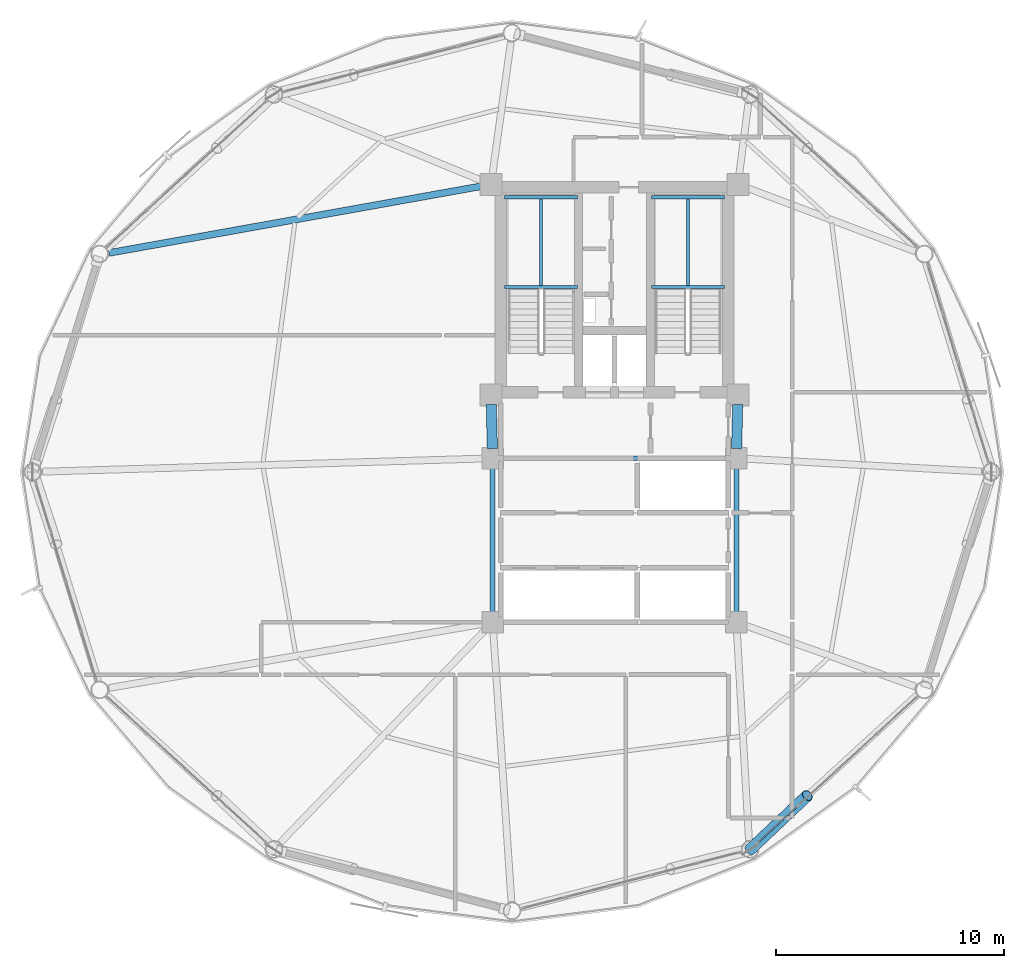
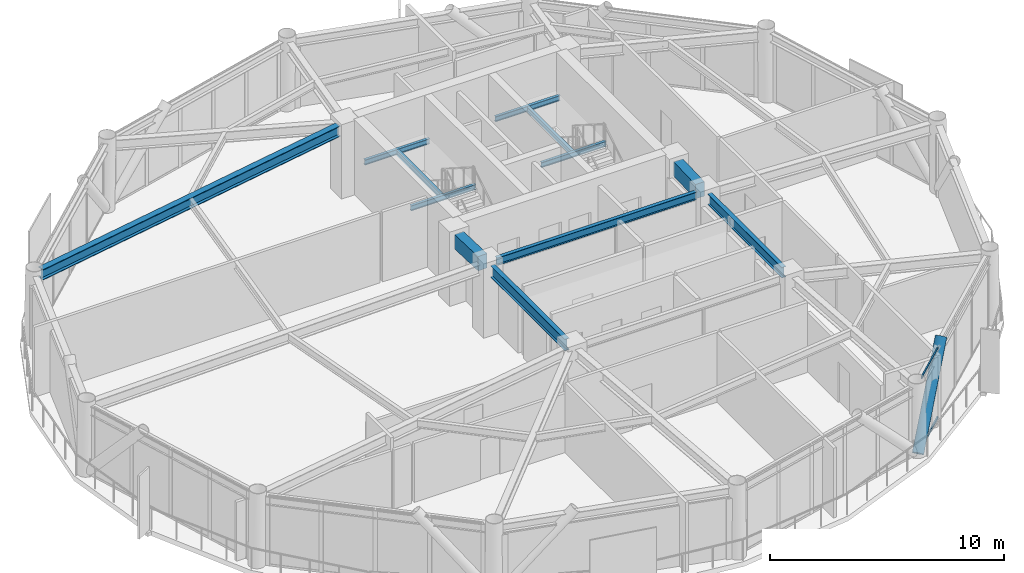
# One storey, part 13 of 27: 12 beams, 3 members, 1 element without a shape of its own.
"""IFC4 building model written with IfcOpenShell, lengths in metres."""

from ifc_helpers import new_model, si_unit, direction, frame, origin, origin_2d, place, context, subcontext, project, spatial, rectangle, hollow_rectangle, hollow_circle, i_section, extrude, material, layer, layer_set, material_profile, profile_set, type_object, element, aggregate, save


model = new_model("IFC4")

# Units and contexts
model_context = context("Model", 3, precision=1e-05, world=origin(), true_north=direction((0.0, 1.0)))
body_context = subcontext(model_context, "Body", "Model", "MODEL_VIEW")
ifc_project = project(units=[si_unit("LENGTHUNIT", "METRE"), si_unit("AREAUNIT", "SQUARE_METRE"), si_unit("VOLUMEUNIT", "CUBIC_METRE"), si_unit("PLANEANGLEUNIT", "RADIAN"), si_unit("MASSUNIT", "GRAM", prefix="KILO")], contexts=[model_context])

# Site, building, storey
site_placement = place(None, origin())
site = spatial("IfcSite", under=ifc_project, at=site_placement, CompositionType="ELEMENT")
building_placement = place(site_placement, origin())
building = spatial("IfcBuilding", under=site, at=building_placement, Name="Varnakorn Sky Granary", CompositionType="ELEMENT")
storey_placement = place(building_placement, frame((0.0, 0.0, 134.39990234375)))
storey = spatial("IfcBuildingStorey", under=building, at=storey_placement, Name="L33", CompositionType="ELEMENT", Elevation=134.39990234375)

# Beams
ifc_material_1 = material(Name="Steel S355JR", Category="steel")
ifc_material_profile_1 = material_profile(ifc_material_1, i_section(OverallWidth=0.2099609375, OverallDepth=0.550048828125, WebThickness=0.010986328125, FlangeThickness=0.01708984375, at=origin_2d()), Name="IPE 550")
ifc_profile_set_1 = profile_set([ifc_material_profile_1], Name="Steel S355JR")
beam_type_1 = type_object("IfcBeamType", Name="BM-JST-550", PredefinedType="JOIST", material=ifc_profile_set_1)
beam_1_placement = place(storey_placement, frame((8.35009765625, 0.179931640625, 3.364990234375), z_axis=(0.0, -1.0, 0.0), x_axis=(1.0, 0.0, 0.0)))
element("IfcBeam", 1, at=beam_1_placement, inside=storey, type_object=beam_type_1, Name="Core Spine Framing Beam 4 L33", PredefinedType="JOIST", context=body_context, shape_type="SweptSolid", body=[
    extrude(i_section(OverallWidth=0.2099609375, OverallDepth=0.550048828125, WebThickness=0.010986328125, FlangeThickness=0.01708984375, at=origin_2d()), origin(), (0.0, 0.0, 1.0), 6.35986328125),
])
ifc_material_profile_2 = material_profile(ifc_material_1, i_section(OverallWidth=0.219970703125, OverallDepth=0.60009765625, WebThickness=0.011962890625, FlangeThickness=0.01904296875, at=origin_2d()), Name="IPE 600")
ifc_profile_set_2 = profile_set([ifc_material_profile_2], Name="Steel S355JR")
beam_type_2 = type_object("IfcBeamType", Name="BM-JST-600", PredefinedType="JOIST", material=ifc_profile_set_2)
beam_2_placement = place(storey_placement, frame((-2.35009765625, 0.179931640625, 3.340087890625), z_axis=(0.0, -1.0, 0.0), x_axis=(1.0, 0.0, 0.0)))
element("IfcBeam", 2, at=beam_2_placement, inside=storey, type_object=beam_type_2, Name="Core Spine Framing Beam 3 L33", PredefinedType="JOIST", context=body_context, shape_type="SweptSolid", body=[
    extrude(i_section(OverallWidth=0.219970703125, OverallDepth=0.60009765625, WebThickness=0.011962890625, FlangeThickness=0.01904296875, at=origin_2d()), origin(), (0.0, 0.0, 1.0), 6.35986328125),
])
ifc_material_2 = material(Name="Concrete C60/75", Category="concrete")
ifc_material_profile_3 = material_profile(ifc_material_2, rectangle(XDim=0.449951171875, YDim=0.75, at=origin_2d()), Name="RC 450x750")
ifc_profile_set_3 = profile_set([ifc_material_profile_3], Name="Concrete C60/75")
beam_type_3 = type_object("IfcBeamType", Name="BM-LIN-750", PredefinedType="LINTEL", material=ifc_profile_set_3)
for number, where, z_axis, x_axis, name in (
    (3, (-2.409423828125, 2.960205078125, 3.26513671875), (0.025158763514, -0.999683468213, 0.0), (0.999683468213, 0.025158763514, 0.0), "Core Spine Framing Beam 1 L33"),
    (4, (8.409423828125, 2.960205078125, 3.26513671875), (-0.025158763514, -0.999683468213, 0.0), (0.999683468213, -0.025158763514, 0.0), "Core Spine Framing Beam 2 L33"),
):
    element("IfcBeam", number, at=place(storey_placement, frame(where, z_axis=z_axis, x_axis=x_axis)), inside=storey, type_object=beam_type_3, Name=name, PredefinedType="LINTEL", context=body_context, shape_type="SweptSolid", body=[
        extrude(rectangle(XDim=0.449951171875, YDim=0.75, at=origin_2d()), origin(), (0.0, 0.0, 1.0), 1.94091796875),
    ])
ifc_material_profile_4 = material_profile(ifc_material_1, i_section(OverallWidth=0.135009765625, OverallDepth=0.27001953125, WebThickness=0.006591796875, FlangeThickness=0.01025390625, at=origin_2d()), Name="IPE 270")
ifc_profile_set_4 = profile_set([ifc_material_profile_4], Name="Steel S355JR")
beam_type_4 = type_object("IfcBeamType", Name="BM-LND-270", PredefinedType="BEAM", material=ifc_profile_set_4)
for number, where, z_axis, x_axis, name in (
    (5, (-1.820068359375, 8.1201171875, 1.614990234375), (1.0, 0.0, 0.0), (0.0, 1.0, 0.0), "Stair ST-1 Landing Trimmer Beam A L33-1"),
    (6, (-1.820068359375, 12.06005859375, 1.614990234375), (1.0, 0.0, 0.0), (0.0, 1.0, 0.0), "Stair ST-1 Landing Trimmer Beam B L33-1"),
):
    element("IfcBeam", number, at=place(storey_placement, frame(where, z_axis=z_axis, x_axis=x_axis)), inside=storey, type_object=beam_type_4, Name=name, PredefinedType="BEAM", context=body_context, shape_type="SweptSolid", body=[
        extrude(i_section(OverallWidth=0.135009765625, OverallDepth=0.27001953125, WebThickness=0.006591796875, FlangeThickness=0.01025390625, at=origin_2d()), origin(), (0.0, 0.0, 1.0), 3.199951171875),
    ])
beam_3_placement = place(storey_placement, frame((-0.219970703125, 8.1201171875, 1.614990234375), z_axis=(0.0, 1.0, 0.0), x_axis=(-1.0, 0.0, 0.0)))
element("IfcBeam", 7, at=beam_3_placement, inside=storey, type_object=beam_type_4, Name="Stair ST-1 Landing Cross Beam C L33-1", PredefinedType="BEAM", context=body_context, shape_type="SweptSolid", body=[
    extrude(i_section(OverallWidth=0.135009765625, OverallDepth=0.27001953125, WebThickness=0.006591796875, FlangeThickness=0.01025390625, at=origin_2d()), origin(), (0.0, 0.0, 1.0), 3.93994140625),
])
for number, where, z_axis, x_axis, name in (
    (8, (4.6201171875, 8.1201171875, 1.614990234375), (1.0, 0.0, 0.0), (0.0, 1.0, 0.0), "Stair ST-2 Landing Trimmer Beam A L33-1"),
    (9, (4.6201171875, 12.06005859375, 1.614990234375), (1.0, 0.0, 0.0), (0.0, 1.0, 0.0), "Stair ST-2 Landing Trimmer Beam B L33-1"),
):
    element("IfcBeam", number, at=place(storey_placement, frame(where, z_axis=z_axis, x_axis=x_axis)), inside=storey, type_object=beam_type_4, Name=name, PredefinedType="BEAM", context=body_context, shape_type="SweptSolid", body=[
        extrude(i_section(OverallWidth=0.135009765625, OverallDepth=0.27001953125, WebThickness=0.006591796875, FlangeThickness=0.01025390625, at=origin_2d()), origin(), (0.0, 0.0, 1.0), 3.199951171875),
    ])
beam_4_placement = place(storey_placement, frame((6.219970703125, 8.1201171875, 1.614990234375), z_axis=(0.0, 1.0, 0.0), x_axis=(-1.0, 0.0, 0.0)))
element("IfcBeam", 10, at=beam_4_placement, inside=storey, type_object=beam_type_4, Name="Stair ST-2 Landing Cross Beam C L33-1", PredefinedType="BEAM", context=body_context, shape_type="SweptSolid", body=[
    extrude(i_section(OverallWidth=0.135009765625, OverallDepth=0.27001953125, WebThickness=0.006591796875, FlangeThickness=0.01025390625, at=origin_2d()), origin(), (0.0, 0.0, 1.0), 3.93994140625),
])
ifc_material_profile_5 = material_profile(ifc_material_1, i_section(OverallWidth=0.300048828125, OverallDepth=0.550048828125, WebThickness=0.014892578125, FlangeThickness=0.029052734375, at=origin_2d()), Name="HE 550 B")
ifc_profile_set_5 = profile_set([ifc_material_profile_5], Name="Steel S355JR")
beam_type_5 = type_object("IfcBeamType", Name="BM-RAD-Z3", PredefinedType="BEAM", material=ifc_profile_set_5)
beam_5_placement = place(storey_placement, frame((-2.83349609375, 12.5458984375, 3.364990234375), z_axis=(-0.984305242032, -0.176474333851, 0.0), x_axis=(0.176474333851, -0.984305242032, 0.0)))
element("IfcBeam", 11, at=beam_5_placement, inside=storey, type_object=beam_type_5, Name="Radial Floor Girder RG06 L33", PredefinedType="BEAM", context=body_context, shape_type="SweptSolid", body=[
    extrude(i_section(OverallWidth=0.300048828125, OverallDepth=0.550048828125, WebThickness=0.014892578125, FlangeThickness=0.029052734375, at=origin_2d()), origin(), (0.0, 0.0, 1.0), 16.6220703125),
])
ifc_material_profile_6 = material_profile(ifc_material_1, i_section(OverallWidth=0.179931640625, OverallDepth=0.39990234375, WebThickness=0.008544921875, FlangeThickness=0.013427734375, at=origin_2d()), Name="IPE 400")
ifc_profile_set_6 = profile_set([ifc_material_profile_6], Name="Steel S355JR")
beam_type_6 = type_object("IfcBeamType", Name="BM-SEC-Z3", PredefinedType="BEAM", material=ifc_profile_set_6)
beam_6_placement = place(storey_placement, frame((-1.929931640625, 0.60009765625, 3.440185546875), z_axis=(1.0, 0.0, 0.0), x_axis=(0.0, 1.0, 0.0)))
element("IfcBeam", 12, at=beam_6_placement, inside=storey, type_object=beam_type_6, Name="Core Spine Framing Beam 5 L33", PredefinedType="BEAM", context=body_context, shape_type="SweptSolid", body=[
    extrude(i_section(OverallWidth=0.179931640625, OverallDepth=0.39990234375, WebThickness=0.008544921875, FlangeThickness=0.013427734375, at=origin_2d()), origin(), (0.0, 0.0, 1.0), 9.85986328125),
])

# Curtain wall, members
ifc_material_3 = material(Name="Anodised Bronze Aluminium Alloy 6063-T6", Category="aluminium")
ifc_layer = layer(ifc_material_3, 0.179931640625, Name="Anodised Bronze Aluminium Alloy 6063-T6")
ifc_layer_set = layer_set([ifc_layer], Name="Anodised Bronze Aluminium Alloy 6063-T6")
curtain_wall_type = type_object("IfcCurtainWallType", Name="CW-FRM-2", PredefinedType="USERDEFINED", material=ifc_layer_set)
curtain_wall_placement = place(storey_placement, origin())
curtain_wall = element("IfcCurtainWall", 13, at=curtain_wall_placement, inside=storey, type_object=curtain_wall_type, Name="Unitised Curtain Wall CW4 CW-L33-B11", ObjectType="CURTAIN WALL", PredefinedType="USERDEFINED")
ifc_material_profile_7 = material_profile(ifc_material_3, hollow_rectangle(XDim=0.06494140625, YDim=0.1201171875, WallThickness=0.00341796875, at=origin_2d()), Name="ALU TRAN 65x120")
ifc_profile_set_7 = profile_set([ifc_material_profile_7], Name="Anodised Bronze Aluminium Alloy 6063-T6")
member_type_1 = type_object("IfcMemberType", Name="CW-FRM-2-TRAN", PredefinedType="USERDEFINED", material=ifc_profile_set_7)
member_1_placement = place(storey_placement, frame((11.00830078125, -14.7021484375, 0.03271484375), z_axis=(-0.737672004094, -0.675159251122, 0.0), x_axis=(0.675159251122, -0.737672004094, 0.0)))
member_1 = element("IfcMember", 14, at=member_1_placement, type_object=member_type_1, Name="CW4 transom 4.1", ObjectType="TRANSOM", PredefinedType="USERDEFINED", context=body_context, shape_type="SweptSolid", body=[
    extrude(hollow_rectangle(XDim=0.06494140625, YDim=0.1201171875, WallThickness=0.00341796875, at=origin_2d()), origin(), (0.0, 0.0, 1.0), 2.26904296875),
])
member_2_placement = place(storey_placement, frame((11.00830078125, -14.7021484375, 3.607666015625), z_axis=(-0.737672004094, -0.675159251122, 0.0), x_axis=(0.675159251122, -0.737672004094, 0.0)))
member_2 = element("IfcMember", 15, at=member_2_placement, type_object=member_type_1, Name="CW4 transom 4.2", ObjectType="TRANSOM", PredefinedType="USERDEFINED", context=body_context, shape_type="SweptSolid", body=[
    extrude(hollow_rectangle(XDim=0.06494140625, YDim=0.1201171875, WallThickness=0.00341796875, at=origin_2d()), origin(), (0.0, 0.0, 1.0), 2.26904296875),
])
aggregate(curtain_wall, [member_1, member_2])

# Member
ifc_material_4 = material(Name="Steel S460M", Category="steel")
ifc_material_profile_8 = material_profile(ifc_material_4, hollow_circle(Radius=0.25390625, WallThickness=0.01806640625, at=origin_2d()), Name="CHS 508x18")
ifc_profile_set_8 = profile_set([ifc_material_profile_8], Name="Steel S460M")
member_type_2 = type_object("IfcMemberType", Name="MB-DIAG-T2", PredefinedType="BRACE", material=ifc_profile_set_8)
member_3_placement = place(storey_placement, frame((8.95751953125, -16.5791015625, 0.0), z_axis=(0.489551499458, 0.462504981445, 0.739208002877), x_axis=(-0.686741862629, 0.726901378533, 0.0)))
element("IfcMember", 16, at=member_3_placement, inside=storey, type_object=member_type_2, Name="Perimeter CHS Diagrid Brace DG11 L33", PredefinedType="BRACE", context=body_context, shape_type="SweptSolid", body=[
    extrude(hollow_circle(Radius=0.25390625, WallThickness=0.01806640625, at=origin_2d()), origin(), (0.0, 0.0, 1.0), 5.127197265625),
])

save(model, "model.ifc")
